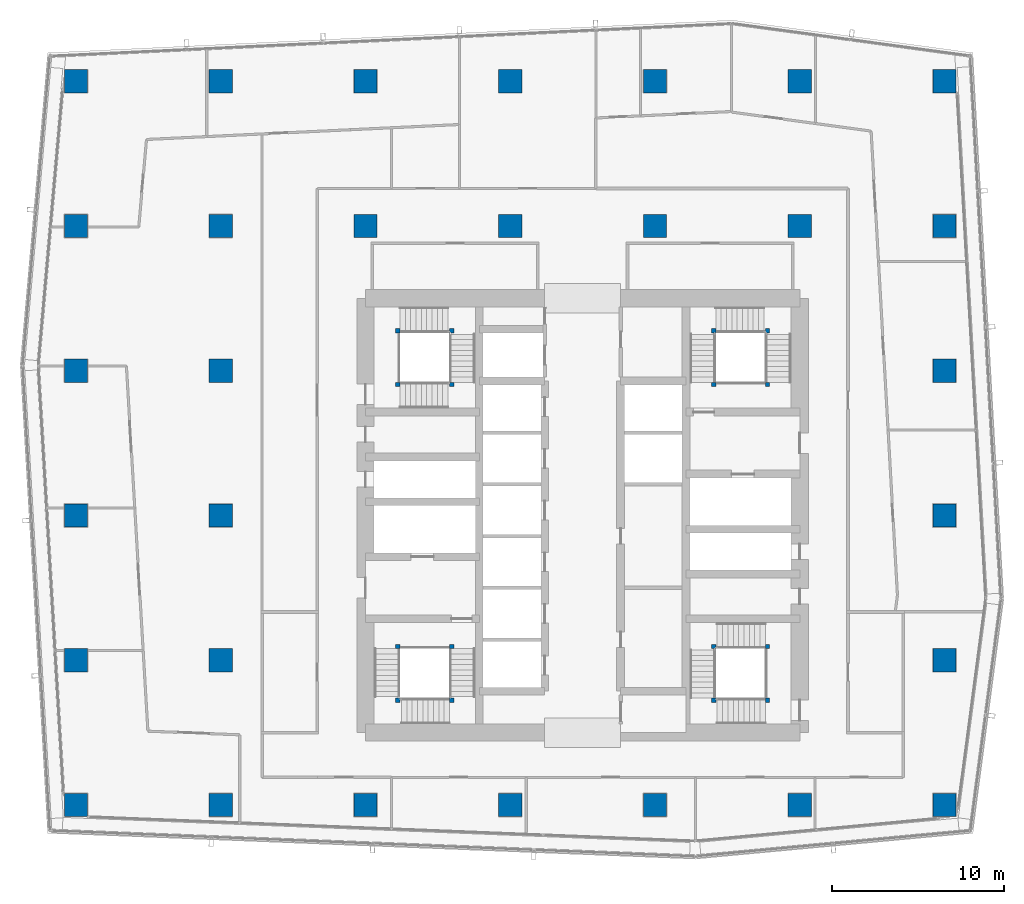
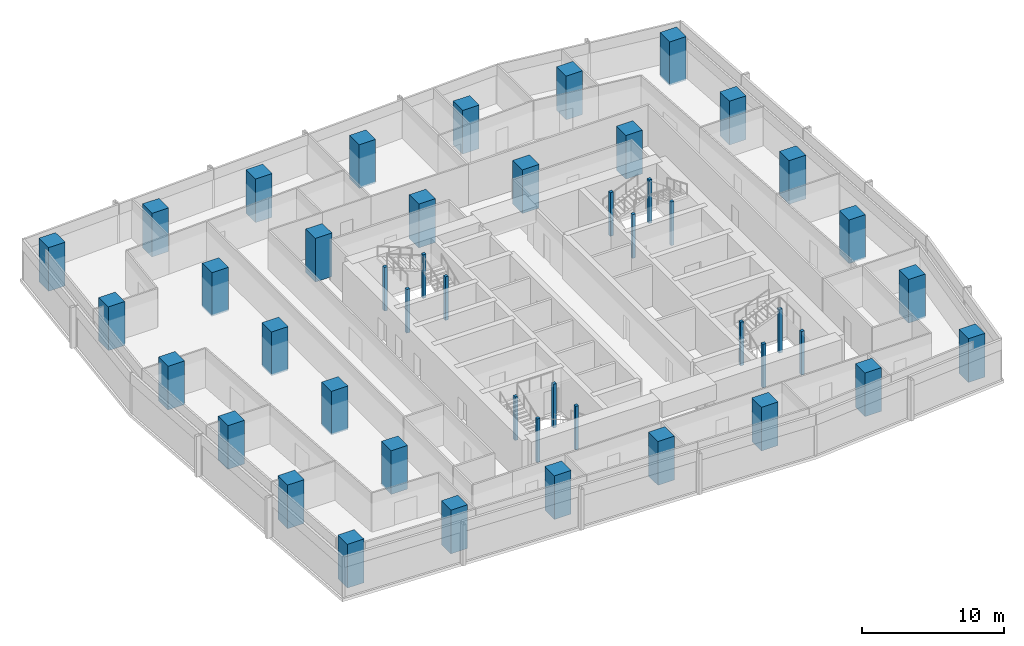
# One storey, part 1 of 38: 46 columns.
"""IFC4 building model written with IfcOpenShell, lengths in metres."""

from ifc_helpers import new_model, si_unit, direction, frame, origin, origin_2d, place, context, subcontext, project, spatial, rectangle, extrude, material, material_profile, profile_set, type_object, element, save


model = new_model("IFC4")

# Units and contexts
model_context = context("Model", 3, precision=1e-05, world=origin(), true_north=direction((0.0, 1.0)))
body_context = subcontext(model_context, "Body", "Model", "MODEL_VIEW")
ifc_project = project(units=[si_unit("LENGTHUNIT", "METRE"), si_unit("AREAUNIT", "SQUARE_METRE"), si_unit("VOLUMEUNIT", "CUBIC_METRE"), si_unit("PLANEANGLEUNIT", "RADIAN"), si_unit("MASSUNIT", "GRAM", prefix="KILO")], contexts=[model_context])

# Site, building, storey
site_placement = place(None, origin())
site = spatial("IfcSite", under=ifc_project, at=site_placement, CompositionType="ELEMENT")
building_placement = place(site_placement, origin())
building = spatial("IfcBuilding", under=site, at=building_placement, Name="Rekha Terrace Tower", CompositionType="ELEMENT")
storey_placement = place(building_placement, frame((0.0, 0.0, 195.199951171875)))
storey = spatial("IfcBuildingStorey", under=building, at=storey_placement, Name="L49", CompositionType="ELEMENT", Elevation=195.199951171875)

# Columns
ifc_material_1 = material(Name="Concrete M70", Category="concrete")
ifc_material_profile_1 = material_profile(ifc_material_1, rectangle(XDim=1.35009765625, YDim=1.35009765625, at=origin_2d()), Name="RC 1350x1350")
ifc_profile_set_1 = profile_set([ifc_material_profile_1], Name="Concrete M70")
column_type_1 = type_object("IfcColumnType", Name="C4 1350x1350 column", PredefinedType="COLUMN", material=ifc_profile_set_1)
for number, where, z_axis, x_axis, name in (
    (1, (8.39990234375, 16.800048828125, 0.0), (0.0, 0.0, 1.0), (1.0, 0.0, 0.0), "Column C4 2/C L49"),
    (2, (8.39990234375, 25.199951171875, 0.0), (0.0, 0.0, 1.0), (1.0, 0.0, 0.0), "Column C4 2/D L49"),
    (3, (8.39990234375, 33.60009765625, 0.0), (0.0, 0.0, 1.0), (1.0, 0.0, 0.0), "Column C4 2/E L49"),
    (4, (8.39990234375, 42.0, 0.0), (0.0, 0.0, 1.0), (1.0, 0.0, 0.0), "Column C4 2/F L49"),
    (5, (8.39990234375, 50.39990234375, 0.0), (0.0, 0.0, 1.0), (1.0, 0.0, 0.0), "Column C4 2/G L49"),
    (6, (8.39990234375, 58.800048828125, 0.0), (0.0, 0.0, 1.0), (1.0, 0.0, 0.0), "Column C4 2/H L49"),
    (7, (16.800048828125, 16.800048828125, 0.0), (0.0, 0.0, 1.0), (1.0, 0.0, 0.0), "Column C4 3/C L49"),
    (8, (16.800048828125, 25.199951171875, 0.0), (0.0, 0.0, 1.0), (1.0, 0.0, 0.0), "Column C4 3/D L49"),
    (9, (16.800048828125, 33.60009765625, 0.0), (0.0, 0.0, 1.0), (1.0, 0.0, 0.0), "Column C4 3/E L49"),
    (10, (16.800048828125, 42.0, 0.0), (0.0, 0.0, 1.0), (1.0, 0.0, 0.0), "Column C4 3/F L49"),
    (11, (16.800048828125, 50.39990234375, 0.0), (0.0, 0.0, 1.0), (1.0, 0.0, 0.0), "Column C4 3/G L49"),
    (12, (16.800048828125, 58.800048828125, 0.0), (0.0, 0.0, 1.0), (1.0, 0.0, 0.0), "Column C4 3/H L49"),
    (13, (25.199951171875, 16.800048828125, 0.0), (0.0, 0.0, 1.0), (1.0, 0.0, 0.0), "Column C4 4/C L49"),
    (14, (25.199951171875, 50.39990234375, 0.0), (0.0, 0.0, 1.0), (1.0, 0.0, 0.0), "Column C4 4/G L49"),
    (15, (25.199951171875, 58.800048828125, 0.0), (0.0, 0.0, 1.0), (1.0, 0.0, 0.0), "Column C4 4/H L49"),
    (16, (33.60009765625, 16.800048828125, 0.0), (0.0, 0.0, 1.0), (1.0, 0.0, 0.0), "Column C4 5/C L49"),
    (17, (33.60009765625, 50.39990234375, 0.0), (0.0, 0.0, 1.0), (1.0, 0.0, 0.0), "Column C4 5/G L49"),
    (18, (33.60009765625, 58.800048828125, 0.0), (0.0, 0.0, 1.0), (1.0, 0.0, 0.0), "Column C4 5/H L49"),
    (19, (42.0, 16.800048828125, 0.0), (0.0, 0.0, 1.0), (1.0, 0.0, 0.0), "Column C4 6/C L49"),
    (20, (42.0, 50.39990234375, 0.0), (0.0, 0.0, 1.0), (1.0, 0.0, 0.0), "Column C4 6/G L49"),
    (21, (42.0, 58.800048828125, 0.0), (0.0, 0.0, 1.0), (1.0, 0.0, 0.0), "Column C4 6/H L49"),
    (22, (50.39990234375, 16.800048828125, 0.0), (0.0, 0.0, 1.0), (1.0, 0.0, 0.0), "Column C4 7/C L49"),
    (23, (50.39990234375, 50.39990234375, 0.0), (0.0, 0.0, 1.0), (1.0, 0.0, 0.0), "Column C4 7/G L49"),
    (24, (50.39990234375, 58.800048828125, 0.0), (0.0, 0.0, 1.0), (1.0, 0.0, 0.0), "Column C4 7/H L49"),
    (25, (58.800048828125, 16.800048828125, 0.0), (0.0, 0.0, 1.0), (1.0, 0.0, 0.0), "Column C4 8/C L49"),
    (26, (58.800048828125, 25.199951171875, 0.0), (0.0, 0.0, 1.0), (1.0, 0.0, 0.0), "Column C4 8/D L49"),
    (27, (58.800048828125, 33.60009765625, 0.0), (0.0, 0.0, 1.0), (1.0, 0.0, 0.0), "Column C4 8/E L49"),
    (28, (58.800048828125, 42.0, 0.0), (0.0, 0.0, 1.0), (1.0, 0.0, 0.0), "Column C4 8/F L49"),
    (29, (58.800048828125, 50.39990234375, 0.0), (0.0, 0.0, 1.0), (1.0, 0.0, 0.0), "Column C4 8/G L49"),
    (30, (58.800048828125, 58.800048828125, 0.0), (0.0, 0.0, 1.0), (1.0, 0.0, 0.0), "Column C4 8/H L49"),
):
    element("IfcColumn", number, at=place(storey_placement, frame(where, z_axis=z_axis, x_axis=x_axis)), inside=storey, type_object=column_type_1, Name=name, PredefinedType="COLUMN", context=body_context, shape_type="SweptSolid", body=[
        extrude(rectangle(XDim=1.35009765625, YDim=1.35009765625, at=origin_2d()), origin(), (0.0, 0.0, 1.0), 3.75),
    ])
ifc_material_2 = material(Name="Concrete M60", Category="concrete")
ifc_material_profile_2 = material_profile(ifc_material_2, rectangle(XDim=0.25, YDim=0.25, at=origin_2d()), Name="RC 250x250")
ifc_profile_set_2 = profile_set([ifc_material_profile_2], Name="Concrete M60")
column_type_2 = type_object("IfcColumnType", Name="NP1 250x250 stair newel post", PredefinedType="COLUMN", material=ifc_profile_set_2)
for number, where, z_axis, x_axis, name in (
    (31, (30.199951171875, 26.0, 0.0), (0.0, 0.0, 1.0), (1.0, 0.0, 0.0), "Stair newel post NP1"),
    (32, (30.199951171875, 22.875, 0.0), (0.0, 0.0, 1.0), (1.0, 0.0, 0.0), "Stair newel post NP1"),
    (33, (27.074951171875, 22.875, 0.0), (0.0, 0.0, 1.0), (1.0, 0.0, 0.0), "Stair newel post NP1"),
    (34, (27.074951171875, 26.0, 0.0), (0.0, 0.0, 1.0), (1.0, 0.0, 0.0), "Stair newel post NP1"),
    (35, (45.39990234375, 41.199951171875, 0.0), (0.0, 0.0, 1.0), (1.0, 0.0, 0.0), "Stair newel post NP1"),
    (36, (45.39990234375, 44.324951171875, 0.0), (0.0, 0.0, 1.0), (1.0, 0.0, 0.0), "Stair newel post NP1"),
    (37, (48.52490234375, 44.324951171875, 0.0), (0.0, 0.0, 1.0), (1.0, 0.0, 0.0), "Stair newel post NP1"),
    (38, (48.52490234375, 41.199951171875, 0.0), (0.0, 0.0, 1.0), (1.0, 0.0, 0.0), "Stair newel post NP1"),
    (39, (48.52490234375, 22.875, 0.0), (0.0, 0.0, 1.0), (1.0, 0.0, 0.0), "Stair newel post NP1"),
    (40, (45.39990234375, 22.875, 0.0), (0.0, 0.0, 1.0), (1.0, 0.0, 0.0), "Stair newel post NP1"),
    (41, (45.39990234375, 26.0, 0.0), (0.0, 0.0, 1.0), (1.0, 0.0, 0.0), "Stair newel post NP1"),
    (42, (48.52490234375, 26.0, 0.0), (0.0, 0.0, 1.0), (1.0, 0.0, 0.0), "Stair newel post NP1"),
    (43, (27.074951171875, 41.199951171875, 0.0), (0.0, 0.0, 1.0), (1.0, 0.0, 0.0), "Stair newel post NP1"),
    (44, (30.199951171875, 41.199951171875, 0.0), (0.0, 0.0, 1.0), (1.0, 0.0, 0.0), "Stair newel post NP1"),
    (45, (30.199951171875, 44.324951171875, 0.0), (0.0, 0.0, 1.0), (1.0, 0.0, 0.0), "Stair newel post NP1"),
    (46, (27.074951171875, 44.324951171875, 0.0), (0.0, 0.0, 1.0), (1.0, 0.0, 0.0), "Stair newel post NP1"),
):
    element("IfcColumn", number, at=place(storey_placement, frame(where, z_axis=z_axis, x_axis=x_axis)), inside=storey, type_object=column_type_2, Name=name, PredefinedType="COLUMN", context=body_context, shape_type="SweptSolid", body=[
        extrude(rectangle(XDim=0.25, YDim=0.25, at=origin_2d()), origin(), (0.0, 0.0, 1.0), 3.75),
    ])

save(model, "model.ifc")
